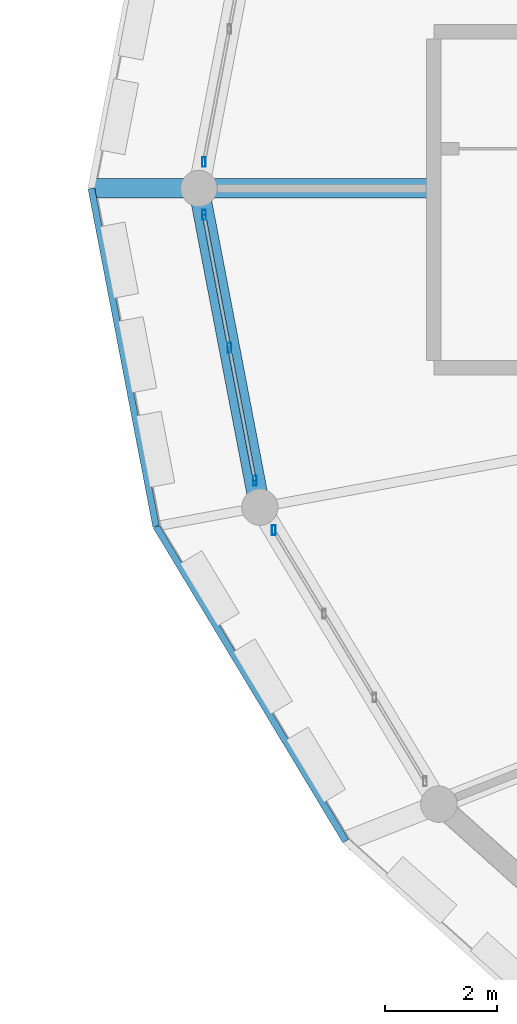
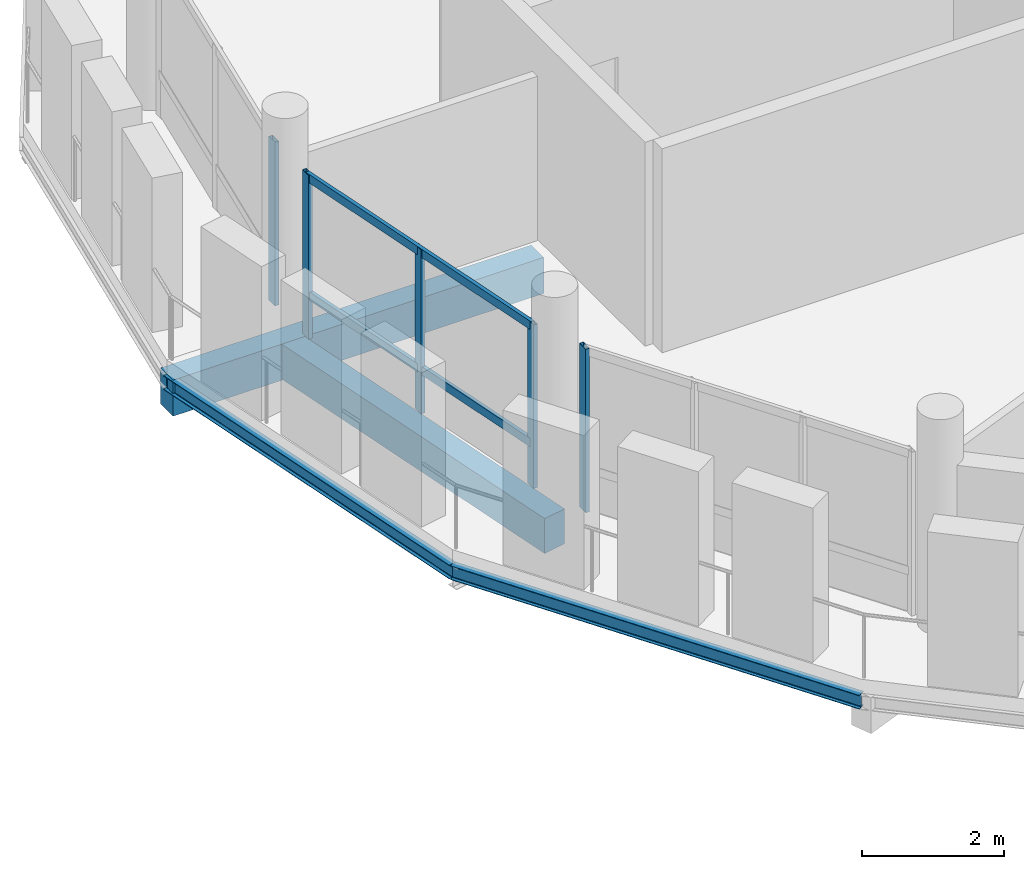
# One storey, part 17 of 84: 7 members, 4 beams, 3 elements without a shape of their own.
"""IFC4 building model written with IfcOpenShell, lengths in metres."""

from ifc_helpers import new_model, si_unit, direction, frame, origin, origin_2d, place, context, subcontext, project, spatial, rectangle, hollow_rectangle, i_section, extrude, material, material_profile, profile_set, type_object, element, aggregate, save


model = new_model("IFC4")

# Units and contexts
model_context = context("Model", 3, precision=1e-05, world=origin(), true_north=direction((0.0, 1.0)))
body_context = subcontext(model_context, "Body", "Model", "MODEL_VIEW")
ifc_project = project(units=[si_unit("LENGTHUNIT", "METRE"), si_unit("AREAUNIT", "SQUARE_METRE"), si_unit("VOLUMEUNIT", "CUBIC_METRE"), si_unit("PLANEANGLEUNIT", "RADIAN"), si_unit("MASSUNIT", "GRAM", prefix="KILO")], contexts=[model_context])

# Site, building, storey
site_placement = place(None, origin())
site = spatial("IfcSite", under=ifc_project, at=site_placement, CompositionType="ELEMENT")
building_placement = place(site_placement, origin())
building = spatial("IfcBuilding", under=site, at=building_placement, Name="Zornivar Specialist Clinic", CompositionType="ELEMENT")
storey_placement = place(building_placement, frame((0.0, 0.0, 12.300048828125)))
storey = spatial("IfcBuildingStorey", under=building, at=storey_placement, Name="L03", CompositionType="ELEMENT", Elevation=12.300048828125)

# Beams
ifc_material_1 = material(Name="Concrete C30/37", Category="concrete")
ifc_material_profile_1 = material_profile(ifc_material_1, rectangle(XDim=0.35009765625, YDim=0.6201171875, at=origin_2d()), Name="RC 350x620")
ifc_profile_set_1 = profile_set([ifc_material_profile_1], Name="Concrete C30/37")
beam_type_1 = type_object("IfcBeamType", Name="BM-RC-CANT-350x620", PredefinedType="BEAM", material=ifc_profile_set_1)
beam_1_placement = place(storey_placement, frame((65.699951171875, 57.60009765625, -0.550048828125), z_axis=(-1.0, 0.0, 0.0), x_axis=(0.0, -1.0, 0.0)))
element("IfcBeam", 1, at=beam_1_placement, inside=storey, type_object=beam_type_1, Name="bm:V1:L03:radcant:12", PredefinedType="BEAM", context=body_context, shape_type="SweptSolid", body=[
    extrude(rectangle(XDim=0.35009765625, YDim=0.6201171875, at=origin_2d()), origin(), (0.0, 0.0, 1.0), 6.02001953125),
])
ifc_material_2 = material(Name="Concrete C30/37", Category="concrete")
ifc_material_profile_2 = material_profile(ifc_material_2, rectangle(XDim=0.3701171875, YDim=0.60009765625, at=origin_2d()), Name="RC 370x600")
ifc_profile_set_2 = profile_set([ifc_material_profile_2], Name="Concrete C30/37")
beam_type_2 = type_object("IfcBeamType", Name="BM-RC-SPANDREL-370x600", PredefinedType="SPANDREL", material=ifc_profile_set_2)
beam_2_placement = place(storey_placement, frame((61.60009765625, 57.60009765625, -0.5400390625), z_axis=(0.187986704214, -0.982171573117, 0.0), x_axis=(0.982171573117, 0.187986704214, 0.0)))
element("IfcBeam", 2, at=beam_2_placement, inside=storey, type_object=beam_type_2, Name="bm:V1:L03:outring:12", PredefinedType="SPANDREL", context=body_context, shape_type="SweptSolid", body=[
    extrude(rectangle(XDim=0.3701171875, YDim=0.60009765625, at=origin_2d()), origin(), (0.0, 0.0, 1.0), 5.79736328125),
])
ifc_material_3 = material(Name="Steel S355J2", Category="steel")
ifc_material_profile_3 = material_profile(ifc_material_3, i_section(OverallWidth=0.1201171875, OverallDepth=0.239990234375, WebThickness=0.006103515625, FlangeThickness=0.009765625, FilletRadius=0.014892578125, at=origin_2d()), Name="IPE 240")
ifc_profile_set_3 = profile_set([ifc_material_profile_3], Name="Steel S355J2")
beam_type_3 = type_object("IfcBeamType", Name="BM-STL-IPE240", PredefinedType="JOIST", material=ifc_profile_set_3)
beam_3_placement = place(storey_placement, frame((59.679931640625, 57.60009765625, -0.360107421875), z_axis=(0.188095914668, -0.982150664046, 0.0), x_axis=(0.982150664046, 0.188095914668, 0.0)))
element("IfcBeam", 3, at=beam_3_placement, inside=storey, type_object=beam_type_3, Name="bm:V1:L03:balring:12", PredefinedType="JOIST", context=body_context, shape_type="SweptSolid", body=[
    extrude(i_section(OverallWidth=0.1201171875, OverallDepth=0.239990234375, WebThickness=0.006103515625, FlangeThickness=0.009765625, FilletRadius=0.014892578125, at=origin_2d()), origin(), (0.0, 0.0, 1.0), 6.145751953125),
])
beam_4_placement = place(storey_placement, frame((60.8359375, 51.56396484375, -0.360107421875), z_axis=(0.516036958114, -0.856566318425, 0.0), x_axis=(0.856566318425, 0.516036958114, 0.0)))
element("IfcBeam", 4, at=beam_4_placement, inside=storey, type_object=beam_type_3, Name="bm:V1:L03:balring:13", PredefinedType="JOIST", context=body_context, shape_type="SweptSolid", body=[
    extrude(i_section(OverallWidth=0.1201171875, OverallDepth=0.239990234375, WebThickness=0.006103515625, FlangeThickness=0.009765625, FilletRadius=0.014892578125, at=origin_2d()), origin(), (0.0, 0.0, 1.0), 6.565673828125),
])

# Curtain wall, member
ifc_material_4 = material(Name="Aluminium and Low-E Glass Curtain Wall", Category="aluminium")
curtain_wall_type = type_object("IfcCurtainWallType", Name="CW-DRUM-FACET", PredefinedType="NOTDEFINED", material=ifc_material_4)
curtain_wall_1_placement = place(storey_placement, origin())
curtain_wall_1 = element("IfcCurtainWall", 5, at=curtain_wall_1_placement, inside=storey, type_object=curtain_wall_type, Name="cw:V1:L03:c11", PredefinedType="NOTDEFINED")
ifc_material_5 = material(Name="Aluminium AW-6060", Category="aluminium")
ifc_material_profile_4 = material_profile(ifc_material_5, hollow_rectangle(XDim=0.06494140625, YDim=0.175048828125, WallThickness=0.00439453125, at=origin_2d()), Name="ALU 65x175x4.5")
ifc_profile_set_4 = profile_set([ifc_material_profile_4], Name="Aluminium AW-6060")
member_type_1 = type_object("IfcMemberType", Name="CWM-MUL-175", PredefinedType="MULLION", material=ifc_profile_set_4)
member_1_placement = place(storey_placement, frame((61.68994140625, 58.071044921875, 0.0), z_axis=(0.0, 0.0, 1.0), x_axis=(1.0, 0.0, 0.0)))
member_1 = element("IfcMember", 6, at=member_1_placement, type_object=member_type_1, Name="cw:V1:L03:c11:mul:2", PredefinedType="MULLION", context=body_context, shape_type="SweptSolid", body=[
    extrude(hollow_rectangle(XDim=0.06494140625, YDim=0.175048828125, WallThickness=0.00439453125, at=origin_2d()), origin(), (0.0, 0.0, 1.0), 2.81005859375),
])
aggregate(curtain_wall_1, [member_1])

# Curtain wall, members
curtain_wall_2_placement = place(storey_placement, origin())
curtain_wall_2 = element("IfcCurtainWall", 7, at=curtain_wall_2_placement, inside=storey, type_object=curtain_wall_type, Name="cw:V1:L03:c12", PredefinedType="NOTDEFINED")
member_2_placement = place(storey_placement, frame((61.69091796875, 57.12890625, 0.0), z_axis=(0.0, 0.0, 1.0), x_axis=(1.0, 0.0, 0.0)))
member_2 = element("IfcMember", 8, at=member_2_placement, type_object=member_type_1, Name="cw:V1:L03:c12:mul:0", PredefinedType="MULLION", context=body_context, shape_type="SweptSolid", body=[
    extrude(hollow_rectangle(XDim=0.06494140625, YDim=0.175048828125, WallThickness=0.00439453125, at=origin_2d()), origin(), (0.0, 0.0, 1.0), 2.81005859375),
])
member_3_placement = place(storey_placement, frame((62.14501953125, 54.7529296875, 0.0), z_axis=(0.0, 0.0, 1.0), x_axis=(1.0, 0.0, 0.0)))
member_3 = element("IfcMember", 9, at=member_3_placement, type_object=member_type_1, Name="cw:V1:L03:c12:mul:1", PredefinedType="MULLION", context=body_context, shape_type="SweptSolid", body=[
    extrude(hollow_rectangle(XDim=0.06494140625, YDim=0.175048828125, WallThickness=0.00439453125, at=origin_2d()), origin(), (0.0, 0.0, 1.0), 2.81005859375),
])
member_4_placement = place(storey_placement, frame((62.60009765625, 52.376953125, 0.0), z_axis=(0.0, 0.0, 1.0), x_axis=(1.0, 0.0, 0.0)))
member_4 = element("IfcMember", 10, at=member_4_placement, type_object=member_type_1, Name="cw:V1:L03:c12:mul:2", PredefinedType="MULLION", context=body_context, shape_type="SweptSolid", body=[
    extrude(hollow_rectangle(XDim=0.06494140625, YDim=0.175048828125, WallThickness=0.00439453125, at=origin_2d()), origin(), (0.0, 0.0, 1.0), 2.81005859375),
])

# Curtain wall, member
curtain_wall_3_placement = place(storey_placement, origin())
curtain_wall_3 = element("IfcCurtainWall", 11, at=curtain_wall_3_placement, inside=storey, type_object=curtain_wall_type, Name="cw:V1:L03:c13", PredefinedType="NOTDEFINED")
member_5_placement = place(storey_placement, frame((62.93798828125, 51.4951171875, 0.0), z_axis=(0.0, 0.0, 1.0), x_axis=(1.0, 0.0, 0.0)))
member_5 = element("IfcMember", 12, at=member_5_placement, type_object=member_type_1, Name="cw:V1:L03:c13:mul:0", PredefinedType="MULLION", context=body_context, shape_type="SweptSolid", body=[
    extrude(hollow_rectangle(XDim=0.06494140625, YDim=0.175048828125, WallThickness=0.00439453125, at=origin_2d()), origin(), (0.0, 0.0, 1.0), 2.81005859375),
])
aggregate(curtain_wall_3, [member_5])

# Member
ifc_material_6 = material(Name="Aluminium AW-6060", Category="aluminium")
ifc_material_profile_5 = material_profile(ifc_material_6, hollow_rectangle(XDim=0.06005859375, YDim=0.14501953125, WallThickness=0.00390625, at=origin_2d()), Name="ALU 60x145x4")
ifc_profile_set_5 = profile_set([ifc_material_profile_5], Name="Aluminium AW-6060")
member_type_2 = type_object("IfcMemberType", Name="CWM-TRN-145", PredefinedType="USERDEFINED", material=ifc_profile_set_5)
member_6_placement = place(storey_placement, frame((61.69091796875, 57.12890625, 0.73095703125), z_axis=(0.187724259088, -0.982221768518, 0.0), x_axis=(0.982221768518, 0.187724259088, 0.0)))
member_6 = element("IfcMember", 13, at=member_6_placement, type_object=member_type_2, Name="cw:V1:L03:c12:trn:0", ObjectType="TRANSOM", PredefinedType="USERDEFINED", context=body_context, shape_type="SweptSolid", body=[
    extrude(hollow_rectangle(XDim=0.06005859375, YDim=0.14501953125, WallThickness=0.00390625, at=origin_2d()), origin(), (0.0, 0.0, 1.0), 4.837890625),
])

member_7_placement = place(storey_placement, frame((61.69091796875, 57.12890625, 2.744873046875), z_axis=(0.187724259088, -0.982221768518, 0.0), x_axis=(0.982221768518, 0.187724259088, 0.0)))
member_7 = element("IfcMember", 14, at=member_7_placement, type_object=member_type_2, Name="cw:V1:L03:c12:trn:1", ObjectType="TRANSOM", PredefinedType="USERDEFINED", context=body_context, shape_type="SweptSolid", body=[
    extrude(hollow_rectangle(XDim=0.06005859375, YDim=0.14501953125, WallThickness=0.00390625, at=origin_2d()), origin(), (0.0, 0.0, 1.0), 4.837890625),
])

aggregate(curtain_wall_2, [member_2, member_3, member_4, member_6, member_7])

save(model, "model.ifc")
